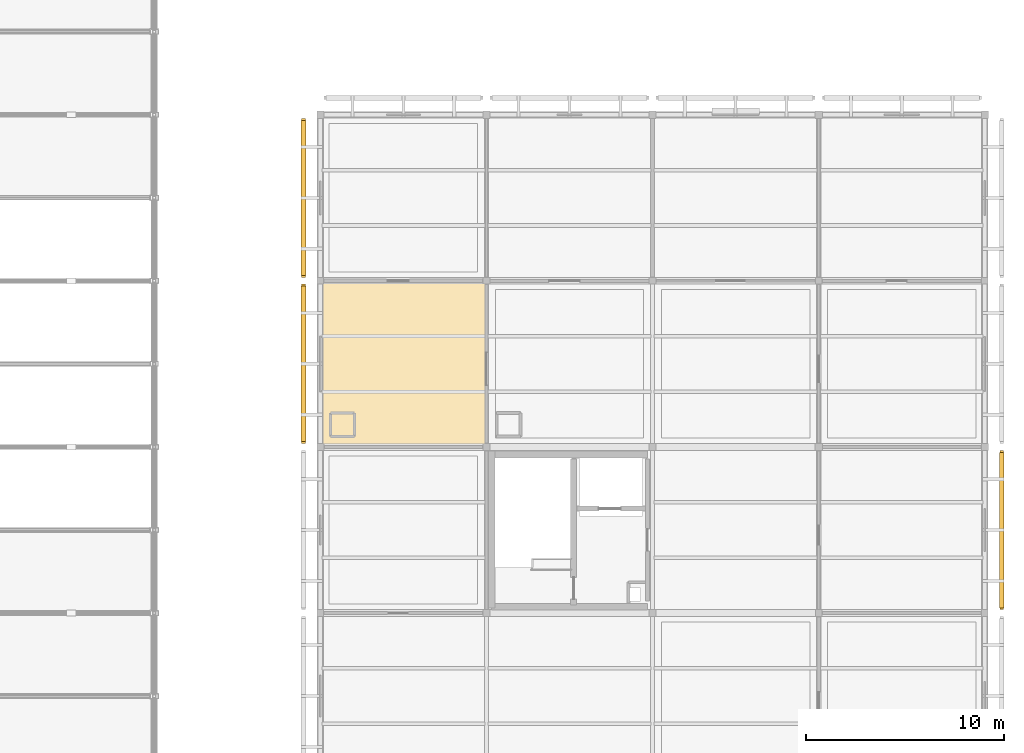
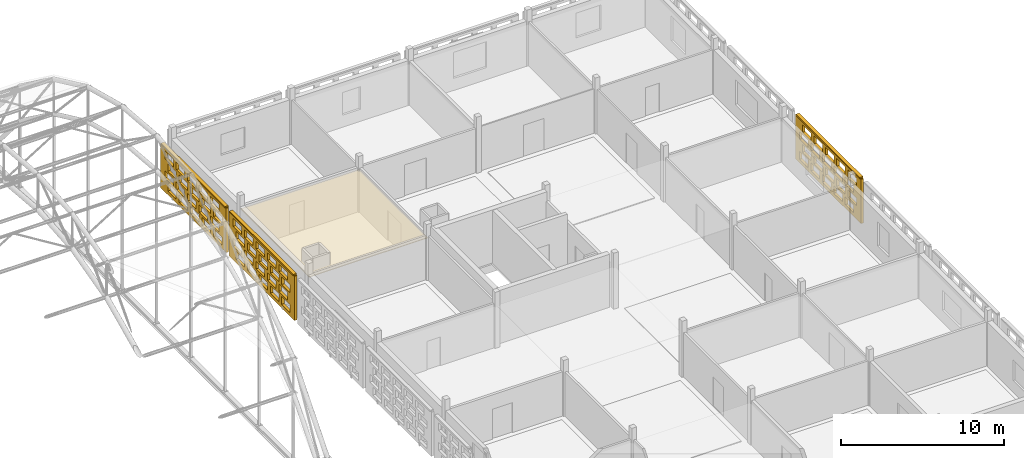
# One storey, part 100 of 103: 4 coverings, 3 shading devices, 60 openings.
"""IFC4 building model written with IfcOpenShell, lengths in metres."""

from ifc_helpers import new_model, si_unit, direction, frame, frame_2d, origin, origin_2d, place, context, subcontext, project, spatial, rectangle, extrude, material, layer, layer_set, type_object, element, save


model = new_model("IFC4")

# Units and contexts
model_context = context("Model", 3, precision=1e-05, world=origin(), true_north=direction((0.0, 1.0)))
body_context = subcontext(model_context, "Body", "Model", "MODEL_VIEW")
ifc_project = project(units=[si_unit("LENGTHUNIT", "METRE"), si_unit("AREAUNIT", "SQUARE_METRE"), si_unit("VOLUMEUNIT", "CUBIC_METRE"), si_unit("PLANEANGLEUNIT", "RADIAN"), si_unit("MASSUNIT", "GRAM", prefix="KILO")], contexts=[model_context])

# Site, building, storey
site_placement = place(None, origin())
site = spatial("IfcSite", under=ifc_project, at=site_placement, CompositionType="ELEMENT")
building_placement = place(site_placement, origin())
building = spatial("IfcBuilding", under=site, at=building_placement, Name="Varnapada Polytechnic", CompositionType="ELEMENT")
storey_placement = place(building_placement, frame((0.0, 0.0, 18.0)))
storey = spatial("IfcBuildingStorey", under=building, at=storey_placement, Name="L04", CompositionType="ELEMENT", Elevation=18.0)

# Covering
ifc_material_1 = material(Name="Perforated Timber Slatted Baffle Ceiling", Category="wood")
ifc_layer_1 = layer(ifc_material_1, 0.050048828125)
ifc_layer_set_1 = layer_set([ifc_layer_1], Name="Perforated Timber Slatted Baffle Ceiling")
covering_type_1 = type_object("IfcCoveringType", Name="Suspended Ceiling CLG-02", PredefinedType="CEILING", material=ifc_layer_set_1)
covering_1_placement = place(storey_placement, frame((147.0, 105.0, 3.02490234375), z_axis=(0.0, 0.0, 1.0), x_axis=(1.0, 0.0, 0.0)))
element("IfcCovering", 1, at=covering_1_placement, inside=storey, type_object=covering_type_1, Name="L04 suspended acoustic ceiling (18,13)", PredefinedType="CEILING", context=body_context, shape_type="SweptSolid", body=[
    extrude(rectangle(XDim=8.419921875, YDim=8.419921875, at=origin_2d()), origin(), (0.0, 0.0, 1.0), 0.050048828125),
])

# Covering, openings
ifc_material_2 = material(Name="Earth-toned architectural terracotta screen block", Category="masonry")
ifc_layer_2 = layer(ifc_material_2, 0.1201171875)
ifc_layer_set_2 = layer_set([ifc_layer_2], Name="Earth-toned architectural terracotta screen block")
covering_type_2 = type_object("IfcCoveringType", Name="Terracotta Screen Cladding CLD-01", PredefinedType="CLADDING", material=ifc_layer_set_2)
covering_2_placement = place(storey_placement, frame((141.949951171875, 100.97998046875, 0.0), z_axis=(0.0, 0.0, 1.0), x_axis=(0.0, 1.0, 0.0)))
covering_2 = element("IfcCovering", 2, at=covering_2_placement, inside=storey, type_object=covering_type_2, Name="L04 perforated terracotta block screen (46)", PredefinedType="CLADDING", context=body_context, shape_type="SweptSolid", body=[
    extrude(rectangle(XDim=8.050048828125, YDim=0.179931640625, at=frame_2d((4.02490234375, 0.0))), origin(), (0.0, 0.0, 1.0), 3.320068359375),
])
opening_1_placement = place(covering_2_placement, frame((0.52490234375, 0.0, 0.265625)))
element("IfcOpeningElement", 3, at=opening_1_placement, cuts=covering_2, Name="Screen perforation TBS-L04-045.1", PredefinedType="OPENING", context=body_context, shape_type="SweptSolid", body=[
    extrude(rectangle(XDim=1.0400390625, YDim=0.5810546875, at=frame_2d((0.52001953125, 0.29052734375))), frame((0.0, 0.099853515625, 0.0), z_axis=(0.0, -1.0, 0.0), x_axis=(1.0, 0.0, 0.0)), (0.0, 0.0, 1.0), 0.199951171875),
])
opening_2_placement = place(covering_2_placement, frame((1.925048828125, 0.0, 0.265625)))
element("IfcOpeningElement", 4, at=opening_2_placement, cuts=covering_2, Name="Screen perforation TBS-L04-045.2", PredefinedType="OPENING", context=body_context, shape_type="SweptSolid", body=[
    extrude(rectangle(XDim=1.0400390625, YDim=0.5810546875, at=frame_2d((0.52001953125, 0.29052734375))), frame((0.0, 0.099853515625, 0.0), z_axis=(0.0, -1.0, 0.0), x_axis=(1.0, 0.0, 0.0)), (0.0, 0.0, 1.0), 0.199951171875),
])
opening_3_placement = place(covering_2_placement, frame((3.324951171875, 0.0, 0.265625)))
element("IfcOpeningElement", 5, at=opening_3_placement, cuts=covering_2, Name="Screen perforation TBS-L04-045.3", PredefinedType="OPENING", context=body_context, shape_type="SweptSolid", body=[
    extrude(rectangle(XDim=1.0400390625, YDim=0.5810546875, at=frame_2d((0.52001953125, 0.29052734375))), frame((0.0, 0.099853515625, 0.0), z_axis=(0.0, -1.0, 0.0), x_axis=(1.0, 0.0, 0.0)), (0.0, 0.0, 1.0), 0.199951171875),
])
opening_4_placement = place(covering_2_placement, frame((4.72509765625, 0.0, 0.265625)))
element("IfcOpeningElement", 6, at=opening_4_placement, cuts=covering_2, Name="Screen perforation TBS-L04-045.4", PredefinedType="OPENING", context=body_context, shape_type="SweptSolid", body=[
    extrude(rectangle(XDim=1.0400390625, YDim=0.5810546875, at=frame_2d((0.52001953125, 0.29052734375))), frame((0.0, 0.099853515625, 0.0), z_axis=(0.0, -1.0, 0.0), x_axis=(1.0, 0.0, 0.0)), (0.0, 0.0, 1.0), 0.199951171875),
])
opening_5_placement = place(covering_2_placement, frame((6.125, 0.0, 0.265625)))
element("IfcOpeningElement", 7, at=opening_5_placement, cuts=covering_2, Name="Screen perforation TBS-L04-045.5", PredefinedType="OPENING", context=body_context, shape_type="SweptSolid", body=[
    extrude(rectangle(XDim=1.0400390625, YDim=0.5810546875, at=frame_2d((0.52001953125, 0.29052734375))), frame((0.0, 0.099853515625, 0.0), z_axis=(0.0, -1.0, 0.0), x_axis=(1.0, 0.0, 0.0)), (0.0, 0.0, 1.0), 0.199951171875),
])
opening_6_placement = place(covering_2_placement, frame((0.885009765625, 0.0, 1.0126953125)))
element("IfcOpeningElement", 8, at=opening_6_placement, cuts=covering_2, Name="Screen perforation TBS-L04-045.6", PredefinedType="OPENING", context=body_context, shape_type="SweptSolid", body=[
    extrude(rectangle(XDim=1.0400390625, YDim=0.5810546875, at=frame_2d((0.52001953125, 0.29052734375))), frame((0.0, 0.099853515625, 0.0), z_axis=(0.0, -1.0, 0.0), x_axis=(1.0, 0.0, 0.0)), (0.0, 0.0, 1.0), 0.199951171875),
])
opening_7_placement = place(covering_2_placement, frame((2.284912109375, 0.0, 1.0126953125)))
element("IfcOpeningElement", 9, at=opening_7_placement, cuts=covering_2, Name="Screen perforation TBS-L04-045.7", PredefinedType="OPENING", context=body_context, shape_type="SweptSolid", body=[
    extrude(rectangle(XDim=1.0400390625, YDim=0.5810546875, at=frame_2d((0.52001953125, 0.29052734375))), frame((0.0, 0.099853515625, 0.0), z_axis=(0.0, -1.0, 0.0), x_axis=(1.0, 0.0, 0.0)), (0.0, 0.0, 1.0), 0.199951171875),
])
opening_8_placement = place(covering_2_placement, frame((3.68505859375, 0.0, 1.0126953125)))
element("IfcOpeningElement", 10, at=opening_8_placement, cuts=covering_2, Name="Screen perforation TBS-L04-045.8", PredefinedType="OPENING", context=body_context, shape_type="SweptSolid", body=[
    extrude(rectangle(XDim=1.0400390625, YDim=0.5810546875, at=frame_2d((0.52001953125, 0.29052734375))), frame((0.0, 0.099853515625, 0.0), z_axis=(0.0, -1.0, 0.0), x_axis=(1.0, 0.0, 0.0)), (0.0, 0.0, 1.0), 0.199951171875),
])
opening_9_placement = place(covering_2_placement, frame((5.0849609375, 0.0, 1.0126953125)))
element("IfcOpeningElement", 11, at=opening_9_placement, cuts=covering_2, Name="Screen perforation TBS-L04-045.9", PredefinedType="OPENING", context=body_context, shape_type="SweptSolid", body=[
    extrude(rectangle(XDim=1.0400390625, YDim=0.5810546875, at=frame_2d((0.52001953125, 0.29052734375))), frame((0.0, 0.099853515625, 0.0), z_axis=(0.0, -1.0, 0.0), x_axis=(1.0, 0.0, 0.0)), (0.0, 0.0, 1.0), 0.199951171875),
])
opening_10_placement = place(covering_2_placement, frame((6.485107421875, 0.0, 1.0126953125)))
element("IfcOpeningElement", 12, at=opening_10_placement, cuts=covering_2, Name="Screen perforation TBS-L04-045.10", PredefinedType="OPENING", context=body_context, shape_type="SweptSolid", body=[
    extrude(rectangle(XDim=1.0400390625, YDim=0.5810546875, at=frame_2d((0.52001953125, 0.29052734375))), frame((0.0, 0.099853515625, 0.0), z_axis=(0.0, -1.0, 0.0), x_axis=(1.0, 0.0, 0.0)), (0.0, 0.0, 1.0), 0.199951171875),
])
opening_11_placement = place(covering_2_placement, frame((0.52490234375, 0.0, 1.759521484375)))
element("IfcOpeningElement", 13, at=opening_11_placement, cuts=covering_2, Name="Screen perforation TBS-L04-045.11", PredefinedType="OPENING", context=body_context, shape_type="SweptSolid", body=[
    extrude(rectangle(XDim=1.0400390625, YDim=0.5810546875, at=frame_2d((0.52001953125, 0.29052734375))), frame((0.0, 0.099853515625, 0.0), z_axis=(0.0, -1.0, 0.0), x_axis=(1.0, 0.0, 0.0)), (0.0, 0.0, 1.0), 0.199951171875),
])
opening_12_placement = place(covering_2_placement, frame((1.925048828125, 0.0, 1.759521484375)))
element("IfcOpeningElement", 14, at=opening_12_placement, cuts=covering_2, Name="Screen perforation TBS-L04-045.12", PredefinedType="OPENING", context=body_context, shape_type="SweptSolid", body=[
    extrude(rectangle(XDim=1.0400390625, YDim=0.5810546875, at=frame_2d((0.52001953125, 0.29052734375))), frame((0.0, 0.099853515625, 0.0), z_axis=(0.0, -1.0, 0.0), x_axis=(1.0, 0.0, 0.0)), (0.0, 0.0, 1.0), 0.199951171875),
])
opening_13_placement = place(covering_2_placement, frame((3.324951171875, 0.0, 1.759521484375)))
element("IfcOpeningElement", 15, at=opening_13_placement, cuts=covering_2, Name="Screen perforation TBS-L04-045.13", PredefinedType="OPENING", context=body_context, shape_type="SweptSolid", body=[
    extrude(rectangle(XDim=1.0400390625, YDim=0.5810546875, at=frame_2d((0.52001953125, 0.29052734375))), frame((0.0, 0.099853515625, 0.0), z_axis=(0.0, -1.0, 0.0), x_axis=(1.0, 0.0, 0.0)), (0.0, 0.0, 1.0), 0.199951171875),
])
opening_14_placement = place(covering_2_placement, frame((4.72509765625, 0.0, 1.759521484375)))
element("IfcOpeningElement", 16, at=opening_14_placement, cuts=covering_2, Name="Screen perforation TBS-L04-045.14", PredefinedType="OPENING", context=body_context, shape_type="SweptSolid", body=[
    extrude(rectangle(XDim=1.0400390625, YDim=0.5810546875, at=frame_2d((0.52001953125, 0.29052734375))), frame((0.0, 0.099853515625, 0.0), z_axis=(0.0, -1.0, 0.0), x_axis=(1.0, 0.0, 0.0)), (0.0, 0.0, 1.0), 0.199951171875),
])
opening_15_placement = place(covering_2_placement, frame((6.125, 0.0, 1.759521484375)))
element("IfcOpeningElement", 17, at=opening_15_placement, cuts=covering_2, Name="Screen perforation TBS-L04-045.15", PredefinedType="OPENING", context=body_context, shape_type="SweptSolid", body=[
    extrude(rectangle(XDim=1.0400390625, YDim=0.5810546875, at=frame_2d((0.52001953125, 0.29052734375))), frame((0.0, 0.099853515625, 0.0), z_axis=(0.0, -1.0, 0.0), x_axis=(1.0, 0.0, 0.0)), (0.0, 0.0, 1.0), 0.199951171875),
])
opening_16_placement = place(covering_2_placement, frame((0.885009765625, 0.0, 2.506591796875)))
element("IfcOpeningElement", 18, at=opening_16_placement, cuts=covering_2, Name="Screen perforation TBS-L04-045.16", PredefinedType="OPENING", context=body_context, shape_type="SweptSolid", body=[
    extrude(rectangle(XDim=1.0400390625, YDim=0.5810546875, at=frame_2d((0.52001953125, 0.29052734375))), frame((0.0, 0.099853515625, 0.0), z_axis=(0.0, -1.0, 0.0), x_axis=(1.0, 0.0, 0.0)), (0.0, 0.0, 1.0), 0.199951171875),
])
opening_17_placement = place(covering_2_placement, frame((2.284912109375, 0.0, 2.506591796875)))
element("IfcOpeningElement", 19, at=opening_17_placement, cuts=covering_2, Name="Screen perforation TBS-L04-045.17", PredefinedType="OPENING", context=body_context, shape_type="SweptSolid", body=[
    extrude(rectangle(XDim=1.0400390625, YDim=0.5810546875, at=frame_2d((0.52001953125, 0.29052734375))), frame((0.0, 0.099853515625, 0.0), z_axis=(0.0, -1.0, 0.0), x_axis=(1.0, 0.0, 0.0)), (0.0, 0.0, 1.0), 0.199951171875),
])
opening_18_placement = place(covering_2_placement, frame((3.68505859375, 0.0, 2.506591796875)))
element("IfcOpeningElement", 20, at=opening_18_placement, cuts=covering_2, Name="Screen perforation TBS-L04-045.18", PredefinedType="OPENING", context=body_context, shape_type="SweptSolid", body=[
    extrude(rectangle(XDim=1.0400390625, YDim=0.5810546875, at=frame_2d((0.52001953125, 0.29052734375))), frame((0.0, 0.099853515625, 0.0), z_axis=(0.0, -1.0, 0.0), x_axis=(1.0, 0.0, 0.0)), (0.0, 0.0, 1.0), 0.199951171875),
])
opening_19_placement = place(covering_2_placement, frame((5.0849609375, 0.0, 2.506591796875)))
element("IfcOpeningElement", 21, at=opening_19_placement, cuts=covering_2, Name="Screen perforation TBS-L04-045.19", PredefinedType="OPENING", context=body_context, shape_type="SweptSolid", body=[
    extrude(rectangle(XDim=1.0400390625, YDim=0.5810546875, at=frame_2d((0.52001953125, 0.29052734375))), frame((0.0, 0.099853515625, 0.0), z_axis=(0.0, -1.0, 0.0), x_axis=(1.0, 0.0, 0.0)), (0.0, 0.0, 1.0), 0.199951171875),
])
opening_20_placement = place(covering_2_placement, frame((6.485107421875, 0.0, 2.506591796875)))
element("IfcOpeningElement", 22, at=opening_20_placement, cuts=covering_2, Name="Screen perforation TBS-L04-045.20", PredefinedType="OPENING", context=body_context, shape_type="SweptSolid", body=[
    extrude(rectangle(XDim=1.0400390625, YDim=0.5810546875, at=frame_2d((0.52001953125, 0.29052734375))), frame((0.0, 0.099853515625, 0.0), z_axis=(0.0, -1.0, 0.0), x_axis=(1.0, 0.0, 0.0)), (0.0, 0.0, 1.0), 0.199951171875),
])

covering_3_placement = place(storey_placement, frame((141.949951171875, 109.3701171875, 0.0), z_axis=(0.0, 0.0, 1.0), x_axis=(0.0, 1.0, 0.0)))
covering_3 = element("IfcCovering", 23, at=covering_3_placement, inside=storey, type_object=covering_type_2, Name="L04 perforated terracotta block screen (48)", PredefinedType="CLADDING", context=body_context, shape_type="SweptSolid", body=[
    extrude(rectangle(XDim=8.0498046875, YDim=0.179931640625, at=frame_2d((4.02490234375, 0.0))), origin(), (0.0, 0.0, 1.0), 3.320068359375),
])
opening_21_placement = place(covering_3_placement, frame((0.52490234375, 0.0, 0.265625)))
element("IfcOpeningElement", 24, at=opening_21_placement, cuts=covering_3, Name="Screen perforation TBS-L04-047.1", PredefinedType="OPENING", context=body_context, shape_type="SweptSolid", body=[
    extrude(rectangle(XDim=1.0400390625, YDim=0.5810546875, at=frame_2d((0.52001953125, 0.29052734375))), frame((0.0, 0.099853515625, 0.0), z_axis=(0.0, -1.0, 0.0), x_axis=(1.0, 0.0, 0.0)), (0.0, 0.0, 1.0), 0.199951171875),
])
opening_22_placement = place(covering_3_placement, frame((1.925048828125, 0.0, 0.265625)))
element("IfcOpeningElement", 25, at=opening_22_placement, cuts=covering_3, Name="Screen perforation TBS-L04-047.2", PredefinedType="OPENING", context=body_context, shape_type="SweptSolid", body=[
    extrude(rectangle(XDim=1.0400390625, YDim=0.5810546875, at=frame_2d((0.52001953125, 0.29052734375))), frame((0.0, 0.099853515625, 0.0), z_axis=(0.0, -1.0, 0.0), x_axis=(1.0, 0.0, 0.0)), (0.0, 0.0, 1.0), 0.199951171875),
])
opening_23_placement = place(covering_3_placement, frame((3.324951171875, 0.0, 0.265625)))
element("IfcOpeningElement", 26, at=opening_23_placement, cuts=covering_3, Name="Screen perforation TBS-L04-047.3", PredefinedType="OPENING", context=body_context, shape_type="SweptSolid", body=[
    extrude(rectangle(XDim=1.0400390625, YDim=0.5810546875, at=frame_2d((0.52001953125, 0.29052734375))), frame((0.0, 0.099853515625, 0.0), z_axis=(0.0, -1.0, 0.0), x_axis=(1.0, 0.0, 0.0)), (0.0, 0.0, 1.0), 0.199951171875),
])
opening_24_placement = place(covering_3_placement, frame((4.72509765625, 0.0, 0.265625)))
element("IfcOpeningElement", 27, at=opening_24_placement, cuts=covering_3, Name="Screen perforation TBS-L04-047.4", PredefinedType="OPENING", context=body_context, shape_type="SweptSolid", body=[
    extrude(rectangle(XDim=1.0400390625, YDim=0.5810546875, at=frame_2d((0.52001953125, 0.29052734375))), frame((0.0, 0.099853515625, 0.0), z_axis=(0.0, -1.0, 0.0), x_axis=(1.0, 0.0, 0.0)), (0.0, 0.0, 1.0), 0.199951171875),
])
opening_25_placement = place(covering_3_placement, frame((6.125, 0.0, 0.265625)))
element("IfcOpeningElement", 28, at=opening_25_placement, cuts=covering_3, Name="Screen perforation TBS-L04-047.5", PredefinedType="OPENING", context=body_context, shape_type="SweptSolid", body=[
    extrude(rectangle(XDim=1.0400390625, YDim=0.5810546875, at=frame_2d((0.52001953125, 0.29052734375))), frame((0.0, 0.099853515625, 0.0), z_axis=(0.0, -1.0, 0.0), x_axis=(1.0, 0.0, 0.0)), (0.0, 0.0, 1.0), 0.199951171875),
])
opening_26_placement = place(covering_3_placement, frame((0.885009765625, 0.0, 1.0126953125)))
element("IfcOpeningElement", 29, at=opening_26_placement, cuts=covering_3, Name="Screen perforation TBS-L04-047.6", PredefinedType="OPENING", context=body_context, shape_type="SweptSolid", body=[
    extrude(rectangle(XDim=1.0400390625, YDim=0.5810546875, at=frame_2d((0.52001953125, 0.29052734375))), frame((0.0, 0.099853515625, 0.0), z_axis=(0.0, -1.0, 0.0), x_axis=(1.0, 0.0, 0.0)), (0.0, 0.0, 1.0), 0.199951171875),
])
opening_27_placement = place(covering_3_placement, frame((2.284912109375, 0.0, 1.0126953125)))
element("IfcOpeningElement", 30, at=opening_27_placement, cuts=covering_3, Name="Screen perforation TBS-L04-047.7", PredefinedType="OPENING", context=body_context, shape_type="SweptSolid", body=[
    extrude(rectangle(XDim=1.0400390625, YDim=0.5810546875, at=frame_2d((0.52001953125, 0.29052734375))), frame((0.0, 0.099853515625, 0.0), z_axis=(0.0, -1.0, 0.0), x_axis=(1.0, 0.0, 0.0)), (0.0, 0.0, 1.0), 0.199951171875),
])
opening_28_placement = place(covering_3_placement, frame((3.68505859375, 0.0, 1.0126953125)))
element("IfcOpeningElement", 31, at=opening_28_placement, cuts=covering_3, Name="Screen perforation TBS-L04-047.8", PredefinedType="OPENING", context=body_context, shape_type="SweptSolid", body=[
    extrude(rectangle(XDim=1.0400390625, YDim=0.5810546875, at=frame_2d((0.52001953125, 0.29052734375))), frame((0.0, 0.099853515625, 0.0), z_axis=(0.0, -1.0, 0.0), x_axis=(1.0, 0.0, 0.0)), (0.0, 0.0, 1.0), 0.199951171875),
])
opening_29_placement = place(covering_3_placement, frame((5.0849609375, 0.0, 1.0126953125)))
element("IfcOpeningElement", 32, at=opening_29_placement, cuts=covering_3, Name="Screen perforation TBS-L04-047.9", PredefinedType="OPENING", context=body_context, shape_type="SweptSolid", body=[
    extrude(rectangle(XDim=1.0400390625, YDim=0.5810546875, at=frame_2d((0.52001953125, 0.29052734375))), frame((0.0, 0.099853515625, 0.0), z_axis=(0.0, -1.0, 0.0), x_axis=(1.0, 0.0, 0.0)), (0.0, 0.0, 1.0), 0.199951171875),
])
opening_30_placement = place(covering_3_placement, frame((6.485107421875, 0.0, 1.0126953125)))
element("IfcOpeningElement", 33, at=opening_30_placement, cuts=covering_3, Name="Screen perforation TBS-L04-047.10", PredefinedType="OPENING", context=body_context, shape_type="SweptSolid", body=[
    extrude(rectangle(XDim=1.0400390625, YDim=0.5810546875, at=frame_2d((0.52001953125, 0.29052734375))), frame((0.0, 0.099853515625, 0.0), z_axis=(0.0, -1.0, 0.0), x_axis=(1.0, 0.0, 0.0)), (0.0, 0.0, 1.0), 0.199951171875),
])
opening_31_placement = place(covering_3_placement, frame((0.52490234375, 0.0, 1.759521484375)))
element("IfcOpeningElement", 34, at=opening_31_placement, cuts=covering_3, Name="Screen perforation TBS-L04-047.11", PredefinedType="OPENING", context=body_context, shape_type="SweptSolid", body=[
    extrude(rectangle(XDim=1.0400390625, YDim=0.5810546875, at=frame_2d((0.52001953125, 0.29052734375))), frame((0.0, 0.099853515625, 0.0), z_axis=(0.0, -1.0, 0.0), x_axis=(1.0, 0.0, 0.0)), (0.0, 0.0, 1.0), 0.199951171875),
])
opening_32_placement = place(covering_3_placement, frame((1.925048828125, 0.0, 1.759521484375)))
element("IfcOpeningElement", 35, at=opening_32_placement, cuts=covering_3, Name="Screen perforation TBS-L04-047.12", PredefinedType="OPENING", context=body_context, shape_type="SweptSolid", body=[
    extrude(rectangle(XDim=1.0400390625, YDim=0.5810546875, at=frame_2d((0.52001953125, 0.29052734375))), frame((0.0, 0.099853515625, 0.0), z_axis=(0.0, -1.0, 0.0), x_axis=(1.0, 0.0, 0.0)), (0.0, 0.0, 1.0), 0.199951171875),
])
opening_33_placement = place(covering_3_placement, frame((3.324951171875, 0.0, 1.759521484375)))
element("IfcOpeningElement", 36, at=opening_33_placement, cuts=covering_3, Name="Screen perforation TBS-L04-047.13", PredefinedType="OPENING", context=body_context, shape_type="SweptSolid", body=[
    extrude(rectangle(XDim=1.0400390625, YDim=0.5810546875, at=frame_2d((0.52001953125, 0.29052734375))), frame((0.0, 0.099853515625, 0.0), z_axis=(0.0, -1.0, 0.0), x_axis=(1.0, 0.0, 0.0)), (0.0, 0.0, 1.0), 0.199951171875),
])
opening_34_placement = place(covering_3_placement, frame((4.72509765625, 0.0, 1.759521484375)))
element("IfcOpeningElement", 37, at=opening_34_placement, cuts=covering_3, Name="Screen perforation TBS-L04-047.14", PredefinedType="OPENING", context=body_context, shape_type="SweptSolid", body=[
    extrude(rectangle(XDim=1.0400390625, YDim=0.5810546875, at=frame_2d((0.52001953125, 0.29052734375))), frame((0.0, 0.099853515625, 0.0), z_axis=(0.0, -1.0, 0.0), x_axis=(1.0, 0.0, 0.0)), (0.0, 0.0, 1.0), 0.199951171875),
])
opening_35_placement = place(covering_3_placement, frame((6.125, 0.0, 1.759521484375)))
element("IfcOpeningElement", 38, at=opening_35_placement, cuts=covering_3, Name="Screen perforation TBS-L04-047.15", PredefinedType="OPENING", context=body_context, shape_type="SweptSolid", body=[
    extrude(rectangle(XDim=1.0400390625, YDim=0.5810546875, at=frame_2d((0.52001953125, 0.29052734375))), frame((0.0, 0.099853515625, 0.0), z_axis=(0.0, -1.0, 0.0), x_axis=(1.0, 0.0, 0.0)), (0.0, 0.0, 1.0), 0.199951171875),
])
opening_36_placement = place(covering_3_placement, frame((0.885009765625, 0.0, 2.506591796875)))
element("IfcOpeningElement", 39, at=opening_36_placement, cuts=covering_3, Name="Screen perforation TBS-L04-047.16", PredefinedType="OPENING", context=body_context, shape_type="SweptSolid", body=[
    extrude(rectangle(XDim=1.0400390625, YDim=0.5810546875, at=frame_2d((0.52001953125, 0.29052734375))), frame((0.0, 0.099853515625, 0.0), z_axis=(0.0, -1.0, 0.0), x_axis=(1.0, 0.0, 0.0)), (0.0, 0.0, 1.0), 0.199951171875),
])
opening_37_placement = place(covering_3_placement, frame((2.284912109375, 0.0, 2.506591796875)))
element("IfcOpeningElement", 40, at=opening_37_placement, cuts=covering_3, Name="Screen perforation TBS-L04-047.17", PredefinedType="OPENING", context=body_context, shape_type="SweptSolid", body=[
    extrude(rectangle(XDim=1.0400390625, YDim=0.5810546875, at=frame_2d((0.52001953125, 0.29052734375))), frame((0.0, 0.099853515625, 0.0), z_axis=(0.0, -1.0, 0.0), x_axis=(1.0, 0.0, 0.0)), (0.0, 0.0, 1.0), 0.199951171875),
])
opening_38_placement = place(covering_3_placement, frame((3.68505859375, 0.0, 2.506591796875)))
element("IfcOpeningElement", 41, at=opening_38_placement, cuts=covering_3, Name="Screen perforation TBS-L04-047.18", PredefinedType="OPENING", context=body_context, shape_type="SweptSolid", body=[
    extrude(rectangle(XDim=1.0400390625, YDim=0.5810546875, at=frame_2d((0.52001953125, 0.29052734375))), frame((0.0, 0.099853515625, 0.0), z_axis=(0.0, -1.0, 0.0), x_axis=(1.0, 0.0, 0.0)), (0.0, 0.0, 1.0), 0.199951171875),
])
opening_39_placement = place(covering_3_placement, frame((5.0849609375, 0.0, 2.506591796875)))
element("IfcOpeningElement", 42, at=opening_39_placement, cuts=covering_3, Name="Screen perforation TBS-L04-047.19", PredefinedType="OPENING", context=body_context, shape_type="SweptSolid", body=[
    extrude(rectangle(XDim=1.0400390625, YDim=0.5810546875, at=frame_2d((0.52001953125, 0.29052734375))), frame((0.0, 0.099853515625, 0.0), z_axis=(0.0, -1.0, 0.0), x_axis=(1.0, 0.0, 0.0)), (0.0, 0.0, 1.0), 0.199951171875),
])
opening_40_placement = place(covering_3_placement, frame((6.485107421875, 0.0, 2.506591796875)))
element("IfcOpeningElement", 43, at=opening_40_placement, cuts=covering_3, Name="Screen perforation TBS-L04-047.20", PredefinedType="OPENING", context=body_context, shape_type="SweptSolid", body=[
    extrude(rectangle(XDim=1.0400390625, YDim=0.5810546875, at=frame_2d((0.52001953125, 0.29052734375))), frame((0.0, 0.099853515625, 0.0), z_axis=(0.0, -1.0, 0.0), x_axis=(1.0, 0.0, 0.0)), (0.0, 0.0, 1.0), 0.199951171875),
])

covering_4_placement = place(storey_placement, frame((177.25, 100.6201171875, 0.0), z_axis=(0.0, 0.0, 1.0), x_axis=(0.0, -1.0, 0.0)))
covering_4 = element("IfcCovering", 44, at=covering_4_placement, inside=storey, type_object=covering_type_2, Name="L04 perforated terracotta block screen (57)", PredefinedType="CLADDING", context=body_context, shape_type="SweptSolid", body=[
    extrude(rectangle(XDim=8.050048828125, YDim=0.179931640625, at=frame_2d((4.02490234375, 0.0))), origin(), (0.0, 0.0, 1.0), 3.320068359375),
])
opening_41_placement = place(covering_4_placement, frame((0.52490234375, 0.0, 0.265625)))
element("IfcOpeningElement", 45, at=opening_41_placement, cuts=covering_4, Name="Screen perforation TBS-L04-056.1", PredefinedType="OPENING", context=body_context, shape_type="SweptSolid", body=[
    extrude(rectangle(XDim=1.0400390625, YDim=0.5810546875, at=frame_2d((0.52001953125, 0.29052734375))), frame((0.0, 0.099853515625, 0.0), z_axis=(0.0, -1.0, 0.0), x_axis=(1.0, 0.0, 0.0)), (0.0, 0.0, 1.0), 0.199951171875),
])
opening_42_placement = place(covering_4_placement, frame((1.925048828125, 0.0, 0.265625)))
element("IfcOpeningElement", 46, at=opening_42_placement, cuts=covering_4, Name="Screen perforation TBS-L04-056.2", PredefinedType="OPENING", context=body_context, shape_type="SweptSolid", body=[
    extrude(rectangle(XDim=1.0400390625, YDim=0.5810546875, at=frame_2d((0.52001953125, 0.29052734375))), frame((0.0, 0.099853515625, 0.0), z_axis=(0.0, -1.0, 0.0), x_axis=(1.0, 0.0, 0.0)), (0.0, 0.0, 1.0), 0.199951171875),
])
opening_43_placement = place(covering_4_placement, frame((3.324951171875, 0.0, 0.265625)))
element("IfcOpeningElement", 47, at=opening_43_placement, cuts=covering_4, Name="Screen perforation TBS-L04-056.3", PredefinedType="OPENING", context=body_context, shape_type="SweptSolid", body=[
    extrude(rectangle(XDim=1.0400390625, YDim=0.5810546875, at=frame_2d((0.52001953125, 0.29052734375))), frame((0.0, 0.099853515625, 0.0), z_axis=(0.0, -1.0, 0.0), x_axis=(1.0, 0.0, 0.0)), (0.0, 0.0, 1.0), 0.199951171875),
])
opening_44_placement = place(covering_4_placement, frame((4.72509765625, 0.0, 0.265625)))
element("IfcOpeningElement", 48, at=opening_44_placement, cuts=covering_4, Name="Screen perforation TBS-L04-056.4", PredefinedType="OPENING", context=body_context, shape_type="SweptSolid", body=[
    extrude(rectangle(XDim=1.0400390625, YDim=0.5810546875, at=frame_2d((0.52001953125, 0.29052734375))), frame((0.0, 0.099853515625, 0.0), z_axis=(0.0, -1.0, 0.0), x_axis=(1.0, 0.0, 0.0)), (0.0, 0.0, 1.0), 0.199951171875),
])
opening_45_placement = place(covering_4_placement, frame((6.125, 0.0, 0.265625)))
element("IfcOpeningElement", 49, at=opening_45_placement, cuts=covering_4, Name="Screen perforation TBS-L04-056.5", PredefinedType="OPENING", context=body_context, shape_type="SweptSolid", body=[
    extrude(rectangle(XDim=1.0400390625, YDim=0.5810546875, at=frame_2d((0.52001953125, 0.29052734375))), frame((0.0, 0.099853515625, 0.0), z_axis=(0.0, -1.0, 0.0), x_axis=(1.0, 0.0, 0.0)), (0.0, 0.0, 1.0), 0.199951171875),
])
opening_46_placement = place(covering_4_placement, frame((0.885009765625, 0.0, 1.0126953125)))
element("IfcOpeningElement", 50, at=opening_46_placement, cuts=covering_4, Name="Screen perforation TBS-L04-056.6", PredefinedType="OPENING", context=body_context, shape_type="SweptSolid", body=[
    extrude(rectangle(XDim=1.0400390625, YDim=0.5810546875, at=frame_2d((0.52001953125, 0.29052734375))), frame((0.0, 0.099853515625, 0.0), z_axis=(0.0, -1.0, 0.0), x_axis=(1.0, 0.0, 0.0)), (0.0, 0.0, 1.0), 0.199951171875),
])
opening_47_placement = place(covering_4_placement, frame((2.284912109375, 0.0, 1.0126953125)))
element("IfcOpeningElement", 51, at=opening_47_placement, cuts=covering_4, Name="Screen perforation TBS-L04-056.7", PredefinedType="OPENING", context=body_context, shape_type="SweptSolid", body=[
    extrude(rectangle(XDim=1.0400390625, YDim=0.5810546875, at=frame_2d((0.52001953125, 0.29052734375))), frame((0.0, 0.099853515625, 0.0), z_axis=(0.0, -1.0, 0.0), x_axis=(1.0, 0.0, 0.0)), (0.0, 0.0, 1.0), 0.199951171875),
])
opening_48_placement = place(covering_4_placement, frame((3.68505859375, 0.0, 1.0126953125)))
element("IfcOpeningElement", 52, at=opening_48_placement, cuts=covering_4, Name="Screen perforation TBS-L04-056.8", PredefinedType="OPENING", context=body_context, shape_type="SweptSolid", body=[
    extrude(rectangle(XDim=1.0400390625, YDim=0.5810546875, at=frame_2d((0.52001953125, 0.29052734375))), frame((0.0, 0.099853515625, 0.0), z_axis=(0.0, -1.0, 0.0), x_axis=(1.0, 0.0, 0.0)), (0.0, 0.0, 1.0), 0.199951171875),
])
opening_49_placement = place(covering_4_placement, frame((5.0849609375, 0.0, 1.0126953125)))
element("IfcOpeningElement", 53, at=opening_49_placement, cuts=covering_4, Name="Screen perforation TBS-L04-056.9", PredefinedType="OPENING", context=body_context, shape_type="SweptSolid", body=[
    extrude(rectangle(XDim=1.0400390625, YDim=0.5810546875, at=frame_2d((0.52001953125, 0.29052734375))), frame((0.0, 0.099853515625, 0.0), z_axis=(0.0, -1.0, 0.0), x_axis=(1.0, 0.0, 0.0)), (0.0, 0.0, 1.0), 0.199951171875),
])
opening_50_placement = place(covering_4_placement, frame((6.485107421875, 0.0, 1.0126953125)))
element("IfcOpeningElement", 54, at=opening_50_placement, cuts=covering_4, Name="Screen perforation TBS-L04-056.10", PredefinedType="OPENING", context=body_context, shape_type="SweptSolid", body=[
    extrude(rectangle(XDim=1.0400390625, YDim=0.5810546875, at=frame_2d((0.52001953125, 0.29052734375))), frame((0.0, 0.099853515625, 0.0), z_axis=(0.0, -1.0, 0.0), x_axis=(1.0, 0.0, 0.0)), (0.0, 0.0, 1.0), 0.199951171875),
])
opening_51_placement = place(covering_4_placement, frame((0.52490234375, 0.0, 1.759521484375)))
element("IfcOpeningElement", 55, at=opening_51_placement, cuts=covering_4, Name="Screen perforation TBS-L04-056.11", PredefinedType="OPENING", context=body_context, shape_type="SweptSolid", body=[
    extrude(rectangle(XDim=1.0400390625, YDim=0.5810546875, at=frame_2d((0.52001953125, 0.29052734375))), frame((0.0, 0.099853515625, 0.0), z_axis=(0.0, -1.0, 0.0), x_axis=(1.0, 0.0, 0.0)), (0.0, 0.0, 1.0), 0.199951171875),
])
opening_52_placement = place(covering_4_placement, frame((1.925048828125, 0.0, 1.759521484375)))
element("IfcOpeningElement", 56, at=opening_52_placement, cuts=covering_4, Name="Screen perforation TBS-L04-056.12", PredefinedType="OPENING", context=body_context, shape_type="SweptSolid", body=[
    extrude(rectangle(XDim=1.0400390625, YDim=0.5810546875, at=frame_2d((0.52001953125, 0.29052734375))), frame((0.0, 0.099853515625, 0.0), z_axis=(0.0, -1.0, 0.0), x_axis=(1.0, 0.0, 0.0)), (0.0, 0.0, 1.0), 0.199951171875),
])
opening_53_placement = place(covering_4_placement, frame((3.324951171875, 0.0, 1.759521484375)))
element("IfcOpeningElement", 57, at=opening_53_placement, cuts=covering_4, Name="Screen perforation TBS-L04-056.13", PredefinedType="OPENING", context=body_context, shape_type="SweptSolid", body=[
    extrude(rectangle(XDim=1.0400390625, YDim=0.5810546875, at=frame_2d((0.52001953125, 0.29052734375))), frame((0.0, 0.099853515625, 0.0), z_axis=(0.0, -1.0, 0.0), x_axis=(1.0, 0.0, 0.0)), (0.0, 0.0, 1.0), 0.199951171875),
])
opening_54_placement = place(covering_4_placement, frame((4.72509765625, 0.0, 1.759521484375)))
element("IfcOpeningElement", 58, at=opening_54_placement, cuts=covering_4, Name="Screen perforation TBS-L04-056.14", PredefinedType="OPENING", context=body_context, shape_type="SweptSolid", body=[
    extrude(rectangle(XDim=1.0400390625, YDim=0.5810546875, at=frame_2d((0.52001953125, 0.29052734375))), frame((0.0, 0.099853515625, 0.0), z_axis=(0.0, -1.0, 0.0), x_axis=(1.0, 0.0, 0.0)), (0.0, 0.0, 1.0), 0.199951171875),
])
opening_55_placement = place(covering_4_placement, frame((6.125, 0.0, 1.759521484375)))
element("IfcOpeningElement", 59, at=opening_55_placement, cuts=covering_4, Name="Screen perforation TBS-L04-056.15", PredefinedType="OPENING", context=body_context, shape_type="SweptSolid", body=[
    extrude(rectangle(XDim=1.0400390625, YDim=0.5810546875, at=frame_2d((0.52001953125, 0.29052734375))), frame((0.0, 0.099853515625, 0.0), z_axis=(0.0, -1.0, 0.0), x_axis=(1.0, 0.0, 0.0)), (0.0, 0.0, 1.0), 0.199951171875),
])
opening_56_placement = place(covering_4_placement, frame((0.885009765625, 0.0, 2.506591796875)))
element("IfcOpeningElement", 60, at=opening_56_placement, cuts=covering_4, Name="Screen perforation TBS-L04-056.16", PredefinedType="OPENING", context=body_context, shape_type="SweptSolid", body=[
    extrude(rectangle(XDim=1.0400390625, YDim=0.5810546875, at=frame_2d((0.52001953125, 0.29052734375))), frame((0.0, 0.099853515625, 0.0), z_axis=(0.0, -1.0, 0.0), x_axis=(1.0, 0.0, 0.0)), (0.0, 0.0, 1.0), 0.199951171875),
])
opening_57_placement = place(covering_4_placement, frame((2.284912109375, 0.0, 2.506591796875)))
element("IfcOpeningElement", 61, at=opening_57_placement, cuts=covering_4, Name="Screen perforation TBS-L04-056.17", PredefinedType="OPENING", context=body_context, shape_type="SweptSolid", body=[
    extrude(rectangle(XDim=1.0400390625, YDim=0.5810546875, at=frame_2d((0.52001953125, 0.29052734375))), frame((0.0, 0.099853515625, 0.0), z_axis=(0.0, -1.0, 0.0), x_axis=(1.0, 0.0, 0.0)), (0.0, 0.0, 1.0), 0.199951171875),
])
opening_58_placement = place(covering_4_placement, frame((3.68505859375, 0.0, 2.506591796875)))
element("IfcOpeningElement", 62, at=opening_58_placement, cuts=covering_4, Name="Screen perforation TBS-L04-056.18", PredefinedType="OPENING", context=body_context, shape_type="SweptSolid", body=[
    extrude(rectangle(XDim=1.0400390625, YDim=0.5810546875, at=frame_2d((0.52001953125, 0.29052734375))), frame((0.0, 0.099853515625, 0.0), z_axis=(0.0, -1.0, 0.0), x_axis=(1.0, 0.0, 0.0)), (0.0, 0.0, 1.0), 0.199951171875),
])
opening_59_placement = place(covering_4_placement, frame((5.0849609375, 0.0, 2.506591796875)))
element("IfcOpeningElement", 63, at=opening_59_placement, cuts=covering_4, Name="Screen perforation TBS-L04-056.19", PredefinedType="OPENING", context=body_context, shape_type="SweptSolid", body=[
    extrude(rectangle(XDim=1.0400390625, YDim=0.5810546875, at=frame_2d((0.52001953125, 0.29052734375))), frame((0.0, 0.099853515625, 0.0), z_axis=(0.0, -1.0, 0.0), x_axis=(1.0, 0.0, 0.0)), (0.0, 0.0, 1.0), 0.199951171875),
])
opening_60_placement = place(covering_4_placement, frame((6.485107421875, 0.0, 2.506591796875)))
element("IfcOpeningElement", 64, at=opening_60_placement, cuts=covering_4, Name="Screen perforation TBS-L04-056.20", PredefinedType="OPENING", context=body_context, shape_type="SweptSolid", body=[
    extrude(rectangle(XDim=1.0400390625, YDim=0.5810546875, at=frame_2d((0.52001953125, 0.29052734375))), frame((0.0, 0.099853515625, 0.0), z_axis=(0.0, -1.0, 0.0), x_axis=(1.0, 0.0, 0.0)), (0.0, 0.0, 1.0), 0.199951171875),
])

# Shading devices
ifc_layer_3 = layer(ifc_material_2, 0.179931640625)
ifc_layer_set_3 = layer_set([ifc_layer_3], Name="Earth-toned architectural terracotta screen block")
shading_device_type = type_object("IfcShadingDeviceType", Name="Terracotta Screen SCR-01", PredefinedType="USERDEFINED", material=ifc_layer_set_3)
for number, where, z_axis, x_axis, name in (
    (65, (141.949951171875, 105.0048828125, 3.31005859375), (0.0, 0.0, 1.0), (0.0, 1.0, 0.0), "L04 perforated terracotta screen hood 464"),
    (66, (141.949951171875, 113.39501953125, 3.31005859375), (0.0, 0.0, 1.0), (0.0, 1.0, 0.0), "L04 perforated terracotta screen hood 466"),
    (67, (177.25, 96.594970703125, 3.31005859375), (0.0, 0.0, 1.0), (0.0, -1.0, 0.0), "L04 perforated terracotta screen hood 472"),
):
    element("IfcShadingDevice", number, at=place(storey_placement, frame(where, z_axis=z_axis, x_axis=x_axis)), inside=storey, type_object=shading_device_type, Name=name, ObjectType="SCREEN", PredefinedType="USERDEFINED", context=body_context, shape_type="SweptSolid", body=[
        extrude(rectangle(XDim=7.85009765625, YDim=0.239990234375, at=origin_2d()), origin(), (0.0, 0.0, 1.0), 0.10009765625),
    ])

save(model, "model.ifc")
